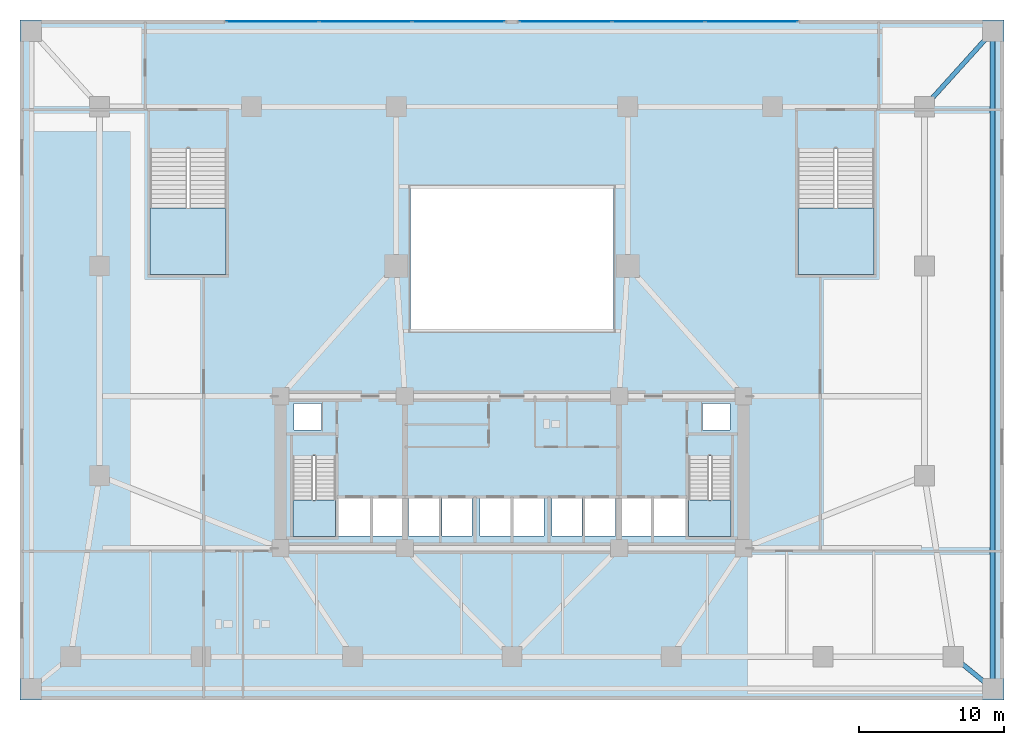
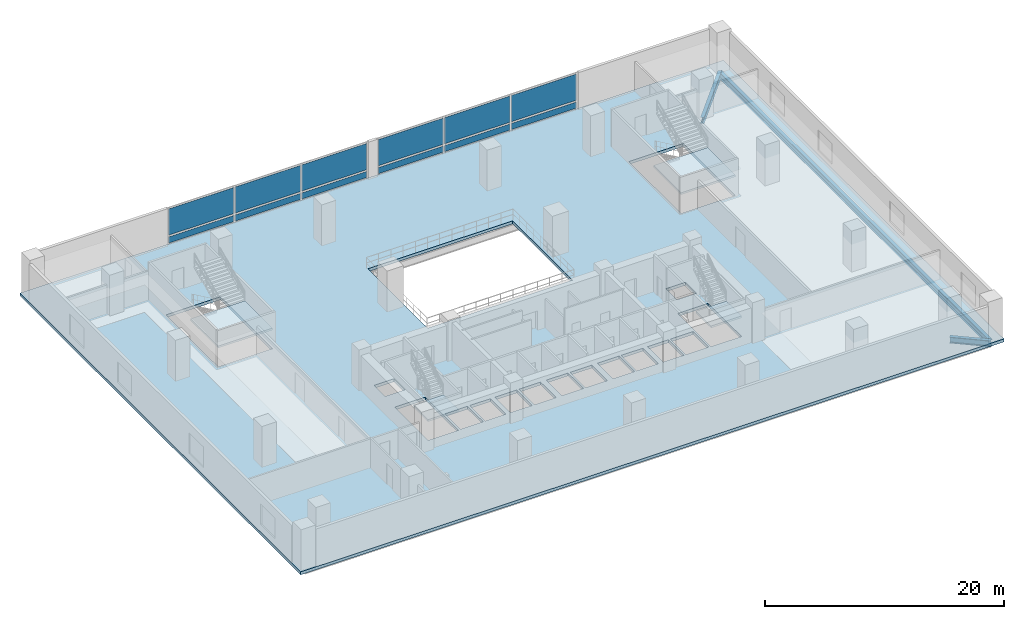
# One storey, part 5 of 15: 12 plates, 5 slabs, 3 beams, 6 elements without a shape of their own.
"""IFC4 building model written with IfcOpenShell, lengths in metres."""

from ifc_helpers import new_model, si_unit, direction, frame, origin, origin_2d, place, context, subcontext, project, spatial, polyline, rectangle, i_section, outline, extrude, material, layer, layer_set, material_profile, profile_set, type_object, element, aggregate, save


model = new_model("IFC4")

# Units and contexts
model_context = context("Model", 3, precision=1e-05, world=origin(), true_north=direction((0.0, 1.0)))
body_context = subcontext(model_context, "Body", "Model", "MODEL_VIEW")
ifc_project = project(units=[si_unit("LENGTHUNIT", "METRE"), si_unit("AREAUNIT", "SQUARE_METRE"), si_unit("VOLUMEUNIT", "CUBIC_METRE"), si_unit("PLANEANGLEUNIT", "RADIAN"), si_unit("MASSUNIT", "GRAM", prefix="KILO")], contexts=[model_context])

# Site, building, storey
site_placement = place(None, origin())
site = spatial("IfcSite", under=ifc_project, at=site_placement, CompositionType="ELEMENT")
building_placement = place(site_placement, origin())
building = spatial("IfcBuilding", under=site, at=building_placement, Name="Solmavex Isthmus Hotel", CompositionType="ELEMENT")
storey_placement = place(building_placement, frame((0.0, 0.0, 16.199951171875)))
storey = spatial("IfcBuildingStorey", under=building, at=storey_placement, Name="L04", CompositionType="ELEMENT", Elevation=16.199951171875)

# Beams
ifc_material_1 = material(Name="Steel ASTM A992 Grade 50", Category="steel")
ifc_material_profile = material_profile(ifc_material_1, i_section(OverallWidth=0.326416015625, OverallDepth=0.621826171875, WebThickness=0.015380859375, FlangeThickness=0.0244140625, FilletRadius=0.01513671875, at=origin_2d()), Name="W24X131")
ifc_profile_set = profile_set([ifc_material_profile], Name="Steel ASTM A992 Grade 50")
beam_type = type_object("IfcBeamType", Name="BM-SP-W24X131", PredefinedType="SPANDREL", material=ifc_profile_set)
beam_1_placement = place(storey_placement, frame((30.5, -20.5, -0.61083984375), z_axis=(0.77523625691, -0.631671390814, 0.0), x_axis=(0.631671390814, 0.77523625691, 0.0)))
element("IfcBeam", 1, at=beam_1_placement, inside=storey, type_object=beam_type, Name="Podium Corner Perimeter Girder L04-CR02", PredefinedType="SPANDREL", context=body_context, shape_type="SweptSolid", body=[
    extrude(i_section(OverallWidth=0.326416015625, OverallDepth=0.621826171875, WebThickness=0.015380859375, FlangeThickness=0.0244140625, FilletRadius=0.01513671875, at=origin_2d()), origin(), (0.0, 0.0, 1.0), 3.482666015625),
])
beam_2_placement = place(storey_placement, frame((33.199951171875, -22.699951171875, -0.61083984375), z_axis=(0.0, 1.0, 0.0), x_axis=(-1.0, 0.0, 0.0)))
element("IfcBeam", 2, at=beam_2_placement, inside=storey, type_object=beam_type, Name="Podium Corner Perimeter Girder L04-CR04", PredefinedType="SPANDREL", context=body_context, shape_type="SweptSolid", body=[
    extrude(i_section(OverallWidth=0.326416015625, OverallDepth=0.621826171875, WebThickness=0.015380859375, FlangeThickness=0.0244140625, FilletRadius=0.01513671875, at=origin_2d()), origin(), (0.0, 0.0, 1.0), 45.39990234375),
])
beam_3_placement = place(storey_placement, frame((28.5, 17.5, -0.61083984375), z_axis=(0.670539300557, 0.741874009795, 0.0), x_axis=(-0.741874009795, 0.670539300557, 0.0)))
element("IfcBeam", 3, at=beam_3_placement, inside=storey, type_object=beam_type, Name="Podium Corner Perimeter Girder L04-CR06", PredefinedType="SPANDREL", context=body_context, shape_type="SweptSolid", body=[
    extrude(i_section(OverallWidth=0.326416015625, OverallDepth=0.621826171875, WebThickness=0.015380859375, FlangeThickness=0.0244140625, FilletRadius=0.01513671875, at=origin_2d()), origin(), (0.0, 0.0, 1.0), 7.00927734375),
])

# Curtain wall, plates
ifc_material_2 = material(Name="Aluminium alloy 6063-T6", Category="aluminium")
curtain_wall_type = type_object("IfcCurtainWallType", Name="CW-SYS-01", PredefinedType="NOTDEFINED", material=ifc_material_2)
curtain_wall_1_placement = place(storey_placement, origin())
curtain_wall_1 = element("IfcCurtainWall", 4, at=curtain_wall_1_placement, inside=storey, type_object=curtain_wall_type, Name="Stick Curtain Wall CWL-L04-NW", PredefinedType="NOTDEFINED")
ifc_material_3 = material(Name="Clear low-E laminated glass", Category="glass")
ifc_layer_1 = layer(ifc_material_3, 0.035888671875)
ifc_layer_set_1 = layer_set([ifc_layer_1], Name="Clear low-E laminated glass")
plate_type = type_object("IfcPlateType", Name="CW-SYS-01-PNL", PredefinedType="CURTAIN_PANEL", material=ifc_layer_set_1)
plate_1_placement = place(storey_placement, frame((-16.554931640625, 23.3798828125, 0.18017578125), z_axis=(0.0, 0.0, 1.0), x_axis=(1.0, 0.0, 0.0)))
plate_1 = element("IfcPlate", 5, at=plate_1_placement, type_object=plate_type, Name="CW-01 panel 1.1", PredefinedType="CURTAIN_PANEL", context=body_context, shape_type="SweptSolid", body=[
    extrude(rectangle(XDim=6.330078125, YDim=0.035888671875, at=origin_2d()), origin(), (0.0, 0.0, 1.0), 0.6298828125),
])
plate_2_placement = place(storey_placement, frame((-16.554931640625, 23.3798828125, 0.990234375), z_axis=(0.0, 0.0, 1.0), x_axis=(1.0, 0.0, 0.0)))
plate_2 = element("IfcPlate", 6, at=plate_2_placement, type_object=plate_type, Name="CW-01 panel 1.2", PredefinedType="CURTAIN_PANEL", context=body_context, shape_type="SweptSolid", body=[
    extrude(rectangle(XDim=6.330078125, YDim=0.035888671875, at=origin_2d()), origin(), (0.0, 0.0, 1.0), 2.679931640625),
])
plate_3_placement = place(storey_placement, frame((-10.125, 23.3798828125, 0.18017578125), z_axis=(0.0, 0.0, 1.0), x_axis=(1.0, 0.0, 0.0)))
plate_3 = element("IfcPlate", 7, at=plate_3_placement, type_object=plate_type, Name="CW-01 panel 2.1", PredefinedType="CURTAIN_PANEL", context=body_context, shape_type="SweptSolid", body=[
    extrude(rectangle(XDim=6.3701171875, YDim=0.035888671875, at=origin_2d()), origin(), (0.0, 0.0, 1.0), 0.6298828125),
])
plate_4_placement = place(storey_placement, frame((-10.125, 23.3798828125, 0.990234375), z_axis=(0.0, 0.0, 1.0), x_axis=(1.0, 0.0, 0.0)))
plate_4 = element("IfcPlate", 8, at=plate_4_placement, type_object=plate_type, Name="CW-01 panel 2.2", PredefinedType="CURTAIN_PANEL", context=body_context, shape_type="SweptSolid", body=[
    extrude(rectangle(XDim=6.3701171875, YDim=0.035888671875, at=origin_2d()), origin(), (0.0, 0.0, 1.0), 2.679931640625),
])
plate_5_placement = place(storey_placement, frame((-3.695068359375, 23.3798828125, 0.18017578125), z_axis=(0.0, 0.0, 1.0), x_axis=(1.0, 0.0, 0.0)))
plate_5 = element("IfcPlate", 9, at=plate_5_placement, type_object=plate_type, Name="CW-01 panel 3.1", PredefinedType="CURTAIN_PANEL", context=body_context, shape_type="SweptSolid", body=[
    extrude(rectangle(XDim=6.330078125, YDim=0.035888671875, at=origin_2d()), origin(), (0.0, 0.0, 1.0), 0.6298828125),
])
plate_6_placement = place(storey_placement, frame((-3.695068359375, 23.3798828125, 0.990234375), z_axis=(0.0, 0.0, 1.0), x_axis=(1.0, 0.0, 0.0)))
plate_6 = element("IfcPlate", 10, at=plate_6_placement, type_object=plate_type, Name="CW-01 panel 3.2", PredefinedType="CURTAIN_PANEL", context=body_context, shape_type="SweptSolid", body=[
    extrude(rectangle(XDim=6.330078125, YDim=0.035888671875, at=origin_2d()), origin(), (0.0, 0.0, 1.0), 2.679931640625),
])
aggregate(curtain_wall_1, [plate_1, plate_2, plate_3, plate_4, plate_5, plate_6])

curtain_wall_2_placement = place(storey_placement, origin())
curtain_wall_2 = element("IfcCurtainWall", 11, at=curtain_wall_2_placement, inside=storey, type_object=curtain_wall_type, Name="Stick Curtain Wall CWL-L04-NE", PredefinedType="NOTDEFINED")
plate_7_placement = place(storey_placement, frame((3.695068359375, 23.3798828125, 0.18017578125), z_axis=(0.0, 0.0, 1.0), x_axis=(1.0, 0.0, 0.0)))
plate_7 = element("IfcPlate", 12, at=plate_7_placement, type_object=plate_type, Name="CW-01 panel 1.1", PredefinedType="CURTAIN_PANEL", context=body_context, shape_type="SweptSolid", body=[
    extrude(rectangle(XDim=6.330078125, YDim=0.035888671875, at=origin_2d()), origin(), (0.0, 0.0, 1.0), 0.6298828125),
])
plate_8_placement = place(storey_placement, frame((3.695068359375, 23.3798828125, 0.990234375), z_axis=(0.0, 0.0, 1.0), x_axis=(1.0, 0.0, 0.0)))
plate_8 = element("IfcPlate", 13, at=plate_8_placement, type_object=plate_type, Name="CW-01 panel 1.2", PredefinedType="CURTAIN_PANEL", context=body_context, shape_type="SweptSolid", body=[
    extrude(rectangle(XDim=6.330078125, YDim=0.035888671875, at=origin_2d()), origin(), (0.0, 0.0, 1.0), 2.679931640625),
])
plate_9_placement = place(storey_placement, frame((10.125, 23.3798828125, 0.18017578125), z_axis=(0.0, 0.0, 1.0), x_axis=(1.0, 0.0, 0.0)))
plate_9 = element("IfcPlate", 14, at=plate_9_placement, type_object=plate_type, Name="CW-01 panel 2.1", PredefinedType="CURTAIN_PANEL", context=body_context, shape_type="SweptSolid", body=[
    extrude(rectangle(XDim=6.3701171875, YDim=0.035888671875, at=origin_2d()), origin(), (0.0, 0.0, 1.0), 0.6298828125),
])
plate_10_placement = place(storey_placement, frame((10.125, 23.3798828125, 0.990234375), z_axis=(0.0, 0.0, 1.0), x_axis=(1.0, 0.0, 0.0)))
plate_10 = element("IfcPlate", 15, at=plate_10_placement, type_object=plate_type, Name="CW-01 panel 2.2", PredefinedType="CURTAIN_PANEL", context=body_context, shape_type="SweptSolid", body=[
    extrude(rectangle(XDim=6.3701171875, YDim=0.035888671875, at=origin_2d()), origin(), (0.0, 0.0, 1.0), 2.679931640625),
])
plate_11_placement = place(storey_placement, frame((16.554931640625, 23.3798828125, 0.18017578125), z_axis=(0.0, 0.0, 1.0), x_axis=(1.0, 0.0, 0.0)))
plate_11 = element("IfcPlate", 16, at=plate_11_placement, type_object=plate_type, Name="CW-01 panel 3.1", PredefinedType="CURTAIN_PANEL", context=body_context, shape_type="SweptSolid", body=[
    extrude(rectangle(XDim=6.330078125, YDim=0.035888671875, at=origin_2d()), origin(), (0.0, 0.0, 1.0), 0.6298828125),
])
plate_12_placement = place(storey_placement, frame((16.554931640625, 23.3798828125, 0.990234375), z_axis=(0.0, 0.0, 1.0), x_axis=(1.0, 0.0, 0.0)))
plate_12 = element("IfcPlate", 17, at=plate_12_placement, type_object=plate_type, Name="CW-01 panel 3.2", PredefinedType="CURTAIN_PANEL", context=body_context, shape_type="SweptSolid", body=[
    extrude(rectangle(XDim=6.330078125, YDim=0.035888671875, at=origin_2d()), origin(), (0.0, 0.0, 1.0), 2.679931640625),
])
aggregate(curtain_wall_2, [plate_7, plate_8, plate_9, plate_10, plate_11, plate_12])

# Slab
ifc_material_4 = material(Name="Concrete C40/50", Category="concrete")
ifc_layer_2 = layer(ifc_material_4, 0.300048828125)
ifc_layer_set_2 = layer_set([ifc_layer_2], Name="Concrete C40/50")
slab_type_1 = type_object("IfcSlabType", Name="SLAB-POD-300", PredefinedType="FLOOR", material=ifc_layer_set_2)
slab_1_placement = place(storey_placement, frame((0.0, 0.0, -0.300048828125)))
element("IfcSlab", 18, at=slab_1_placement, inside=storey, type_object=slab_type_1, Name="Podium Floor Slab L04", PredefinedType="FLOOR", context=body_context, shape_type="SweptSolid", body=[
    extrude(outline(polyline([(-34.0, -23.5), (34.0, -23.5), (34.0, 23.5), (-34.0, 23.5), (-34.0, -23.5)]), holes=[polyline([(-15.14990234375, -6.617919921875), (-15.14990234375, -12.199951171875), (-12.199951171875, -12.199951171875), (-12.199951171875, -6.617919921875), (-15.14990234375, -6.617919921875)]), polyline([(12.199951171875, -6.617919921875), (12.199951171875, -12.199951171875), (15.14990234375, -12.199951171875), (15.14990234375, -6.617919921875), (12.199951171875, -6.617919921875)]), polyline([(19.75, 14.632080078125), (19.75, 5.89990234375), (25.0, 5.89990234375), (25.0, 14.632080078125), (19.75, 14.632080078125)]), polyline([(-25.0, 14.632080078125), (-25.0, 5.89990234375), (-19.75, 5.89990234375), (-19.75, 14.632080078125), (-25.0, 14.632080078125)]), polyline([(-12.0, -12.14990234375), (-9.800048828125, -12.14990234375), (-9.800048828125, -9.550048828125), (-12.0, -9.550048828125), (-12.0, -12.14990234375)]), polyline([(9.800048828125, -12.14990234375), (12.0, -12.14990234375), (12.0, -9.550048828125), (9.800048828125, -9.550048828125), (9.800048828125, -12.14990234375)]), polyline([(-9.60009765625, -12.14990234375), (-7.60009765625, -12.14990234375), (-7.60009765625, -9.550048828125), (-9.60009765625, -9.550048828125), (-9.60009765625, -12.14990234375)]), polyline([(7.60009765625, -12.14990234375), (9.60009765625, -12.14990234375), (9.60009765625, -9.550048828125), (7.60009765625, -9.550048828125), (7.60009765625, -12.14990234375)]), polyline([(-7.14990234375, -12.14990234375), (-5.050048828125, -12.14990234375), (-5.050048828125, -9.550048828125), (-7.14990234375, -9.550048828125), (-7.14990234375, -12.14990234375)]), polyline([(-4.85009765625, -12.14990234375), (-2.75, -12.14990234375), (-2.75, -9.550048828125), (-4.85009765625, -9.550048828125), (-4.85009765625, -12.14990234375)]), polyline([(-2.199951171875, -12.14990234375), (-0.10009765625, -12.14990234375), (-0.10009765625, -9.550048828125), (-2.199951171875, -9.550048828125), (-2.199951171875, -12.14990234375)]), polyline([(0.10009765625, -12.14990234375), (2.199951171875, -12.14990234375), (2.199951171875, -9.550048828125), (0.10009765625, -9.550048828125), (0.10009765625, -12.14990234375)]), polyline([(2.75, -12.14990234375), (4.85009765625, -12.14990234375), (4.85009765625, -9.550048828125), (2.75, -9.550048828125), (2.75, -12.14990234375)]), polyline([(5.050048828125, -12.14990234375), (7.14990234375, -12.14990234375), (7.14990234375, -9.550048828125), (5.050048828125, -9.550048828125), (5.050048828125, -12.14990234375)]), polyline([(-7.0, 2.0), (7.0, 2.0), (7.0, 12.0), (-7.0, 12.0), (-7.0, 2.0)]), polyline([(-15.050048828125, -4.85009765625), (-13.14990234375, -4.85009765625), (-13.14990234375, -3.0), (-15.050048828125, -3.0), (-15.050048828125, -4.85009765625)]), polyline([(13.14990234375, -4.85009765625), (15.050048828125, -4.85009765625), (15.050048828125, -3.0), (13.14990234375, -3.0), (13.14990234375, -4.85009765625)])]), origin(), (0.0, 0.0, 1.0), 0.300048828125),
])

# Stair, slab
stair_type_1 = type_object("IfcStairType", Name="STR-ST-1", PredefinedType="HALF_TURN_STAIR", material=ifc_material_4)
stair_1_placement = place(storey_placement, origin())
stair_1 = element("IfcStair", 19, at=stair_1_placement, inside=storey, type_object=stair_type_1, Name="L04 Protected Exit Stair ST-1", PredefinedType="HALF_TURN_STAIR")
ifc_layer_3 = layer(ifc_material_4, 0.219970703125)
ifc_layer_set_3 = layer_set([ifc_layer_3], Name="Concrete C40/50")
slab_type_2 = type_object("IfcSlabType", Name="SLD-ST-1", PredefinedType="LANDING", material=ifc_layer_set_3)
slab_2_placement = place(storey_placement, frame((0.0, 0.0, 1.900146484375)))
slab_2 = element("IfcSlab", 20, at=slab_2_placement, type_object=slab_type_2, Name="ST-1 landing 1", PredefinedType="LANDING", context=body_context, shape_type="SweptSolid", body=[
    extrude(outline(polyline([(-15.14990234375, -9.679931640625), (-15.14990234375, -12.199951171875), (-12.199951171875, -12.199951171875), (-12.199951171875, -9.679931640625), (-15.14990234375, -9.679931640625)])), origin(), (0.0, 0.0, 1.0), 0.199951171875),
])
aggregate(stair_1, [slab_2])

stair_type_2 = type_object("IfcStairType", Name="STR-ST-2", PredefinedType="HALF_TURN_STAIR", material=ifc_material_4)
stair_2_placement = place(storey_placement, origin())
stair_2 = element("IfcStair", 21, at=stair_2_placement, inside=storey, type_object=stair_type_2, Name="L04 Protected Exit Stair ST-2", PredefinedType="HALF_TURN_STAIR")
ifc_layer_4 = layer(ifc_material_4, 0.219970703125)
ifc_layer_set_4 = layer_set([ifc_layer_4], Name="Concrete C40/50")
slab_type_3 = type_object("IfcSlabType", Name="SLD-ST-2", PredefinedType="LANDING", material=ifc_layer_set_4)
slab_3_placement = place(storey_placement, frame((0.0, 0.0, 1.900146484375)))
slab_3 = element("IfcSlab", 22, at=slab_3_placement, type_object=slab_type_3, Name="ST-2 landing 1", PredefinedType="LANDING", context=body_context, shape_type="SweptSolid", body=[
    extrude(outline(polyline([(12.199951171875, -9.679931640625), (12.199951171875, -12.199951171875), (15.14990234375, -12.199951171875), (15.14990234375, -9.679931640625), (12.199951171875, -9.679931640625)])), origin(), (0.0, 0.0, 1.0), 0.199951171875),
])
aggregate(stair_2, [slab_3])

stair_type_3 = type_object("IfcStairType", Name="STR-ST-3", PredefinedType="HALF_TURN_STAIR", material=ifc_material_4)
stair_3_placement = place(storey_placement, origin())
stair_3 = element("IfcStair", 23, at=stair_3_placement, inside=storey, type_object=stair_type_3, Name="L04 Podium Assembly Exit Stair ST-3", PredefinedType="HALF_TURN_STAIR")
ifc_layer_5 = layer(ifc_material_4, 0.219970703125)
ifc_layer_set_5 = layer_set([ifc_layer_5], Name="Concrete C40/50")
slab_type_4 = type_object("IfcSlabType", Name="SLD-ST-3", PredefinedType="LANDING", material=ifc_layer_set_5)
slab_4_placement = place(storey_placement, frame((0.0, 0.0, 1.900146484375)))
slab_4 = element("IfcSlab", 24, at=slab_4_placement, type_object=slab_type_4, Name="ST-3 landing 1", PredefinedType="LANDING", context=body_context, shape_type="SweptSolid", body=[
    extrude(outline(polyline([(19.75, 10.51611328125), (19.75, 5.89990234375), (25.0, 5.89990234375), (25.0, 10.51611328125), (19.75, 10.51611328125)])), origin(), (0.0, 0.0, 1.0), 0.199951171875),
])
aggregate(stair_3, [slab_4])

stair_type_4 = type_object("IfcStairType", Name="STR-ST-4", PredefinedType="HALF_TURN_STAIR", material=ifc_material_4)
stair_4_placement = place(storey_placement, origin())
stair_4 = element("IfcStair", 25, at=stair_4_placement, inside=storey, type_object=stair_type_4, Name="L04 Podium Assembly Exit Stair ST-4", PredefinedType="HALF_TURN_STAIR")
ifc_layer_6 = layer(ifc_material_4, 0.219970703125)
ifc_layer_set_6 = layer_set([ifc_layer_6], Name="Concrete C40/50")
slab_type_5 = type_object("IfcSlabType", Name="SLD-ST-4", PredefinedType="LANDING", material=ifc_layer_set_6)
slab_5_placement = place(storey_placement, frame((0.0, 0.0, 1.900146484375)))
slab_5 = element("IfcSlab", 26, at=slab_5_placement, type_object=slab_type_5, Name="ST-4 landing 1", PredefinedType="LANDING", context=body_context, shape_type="SweptSolid", body=[
    extrude(outline(polyline([(-25.0, 10.51611328125), (-25.0, 5.89990234375), (-19.75, 5.89990234375), (-19.75, 10.51611328125), (-25.0, 10.51611328125)])), origin(), (0.0, 0.0, 1.0), 0.199951171875),
])
aggregate(stair_4, [slab_5])

save(model, "model.ifc")
